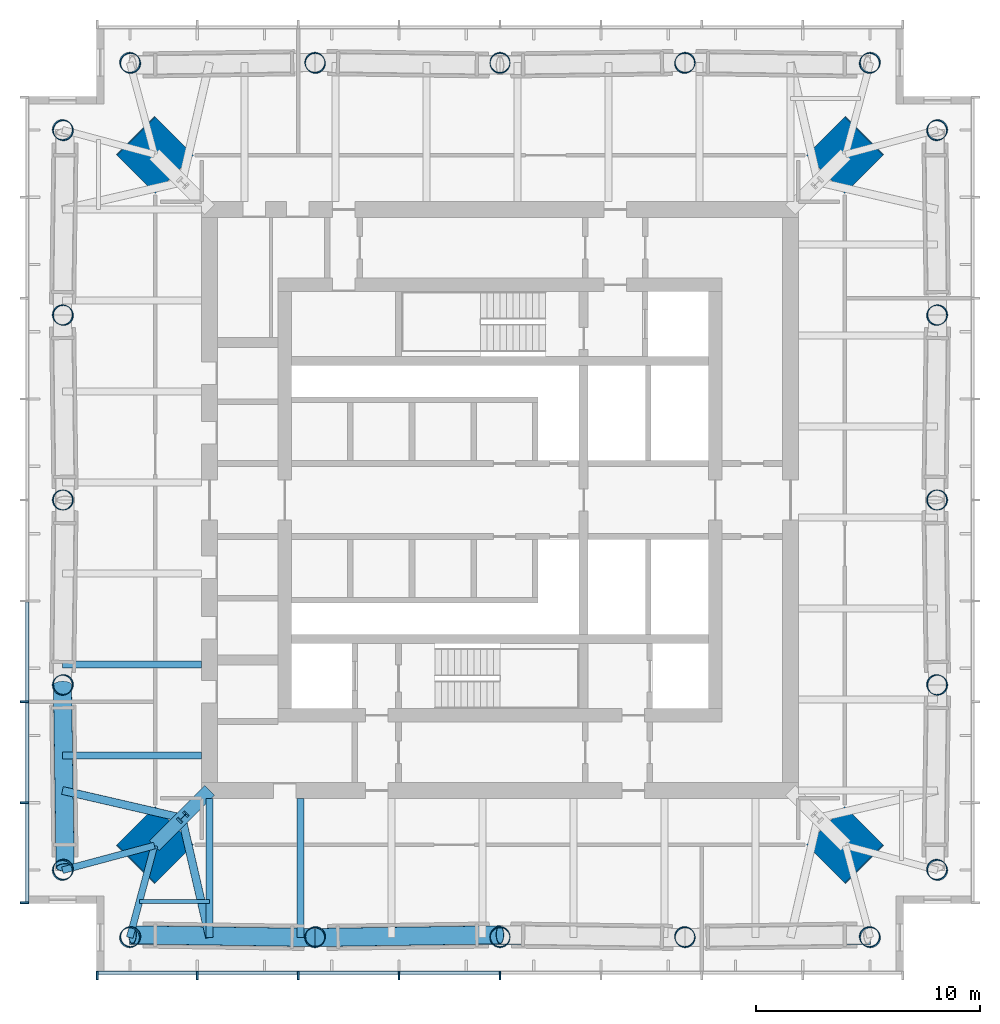
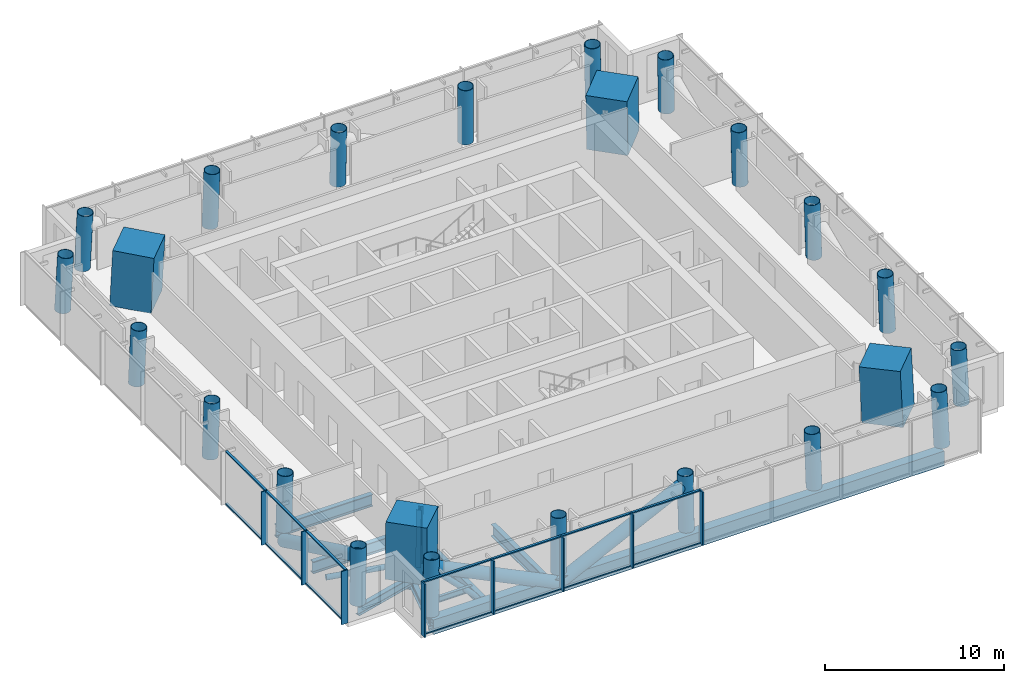
# One storey, part 1 of 9: 30 members, 24 columns, 7 beams, 2 elements without a shape of their own.
"""IFC4 building model written with IfcOpenShell, lengths in metres."""

from ifc_helpers import new_model, si_unit, direction, frame, origin, origin_2d, place, context, subcontext, project, spatial, rectangle, hollow_rectangle, hollow_circle, i_section, extrude, material, material_profile, profile_set, type_object, element, aggregate, save


model = new_model("IFC4")

# Units and contexts
model_context = context("Model", 3, precision=1e-05, world=origin(), true_north=direction((0.0, 1.0)))
body_context = subcontext(model_context, "Body", "Model", "MODEL_VIEW")
ifc_project = project(units=[si_unit("LENGTHUNIT", "METRE"), si_unit("AREAUNIT", "SQUARE_METRE"), si_unit("VOLUMEUNIT", "CUBIC_METRE"), si_unit("PLANEANGLEUNIT", "RADIAN"), si_unit("MASSUNIT", "GRAM", prefix="KILO")], contexts=[model_context])

# Site, building, storey
site_placement = place(None, origin())
site = spatial("IfcSite", under=ifc_project, at=site_placement, CompositionType="ELEMENT")
building_placement = place(site_placement, origin())
building = spatial("IfcBuilding", under=site, at=building_placement, Name="Ostroluk Exchange", CompositionType="ELEMENT")
storey_placement = place(building_placement, frame((0.0, 0.0, 161.60009765625)))
storey = spatial("IfcBuildingStorey", under=building, at=storey_placement, Name="L41", CompositionType="ELEMENT", Elevation=161.60009765625)

# Columns
ifc_material_1 = material(Name="Concrete C50/60", Category="concrete")
ifc_material_profile_1 = material_profile(ifc_material_1, rectangle(XDim=2.39990234375, YDim=2.39990234375, at=origin_2d()), Name="RC 2400x2400")
ifc_profile_set_1 = profile_set([ifc_material_profile_1], Name="Concrete C50/60")
column_type_1 = type_object("IfcColumnType", Name="Mega column RC 2400x2400", PredefinedType="COLUMN", material=ifc_profile_set_1)
for number, where, z_axis, x_axis, name in (
    (1, (60.4072265625, 61.4072265625, 0.0), (-0.031964207655, -0.031964207655, 0.998977766949), (0.707106781187, -0.707106781187, 0.0), "T1 mega column NE"),
    (2, (29.5927734375, 61.4072265625, 0.0), (0.031964207655, -0.031964207655, 0.998977766949), (0.707106781187, 0.707106781187, 0.0), "T1 mega column NW"),
    (3, (29.5927734375, 30.5927734375, 0.0), (0.031964207655, 0.031964207655, 0.998977766949), (-0.707106781187, 0.707106781187, 0.0), "T1 mega column SW"),
    (4, (60.4072265625, 30.5927734375, 0.0), (-0.031964207655, 0.031964207655, 0.998977766949), (-0.707106781187, -0.707106781187, 0.0), "T1 mega column SE"),
):
    element("IfcColumn", number, at=place(storey_placement, frame(where, z_axis=z_axis, x_axis=x_axis)), inside=storey, type_object=column_type_1, Name=name, PredefinedType="COLUMN", context=body_context, shape_type="SweptSolid", body=[
        extrude(rectangle(XDim=2.39990234375, YDim=2.39990234375, at=origin_2d()), origin(), (0.0, 0.0, 1.0), 3.8037109375),
    ])
ifc_material_2 = material(Name="Steel S460", Category="steel")
ifc_material_profile_2 = material_profile(ifc_material_2, hollow_circle(Radius=0.45703125, WallThickness=0.030029296875, at=origin_2d()), Name="CHS 914x30")
ifc_profile_set_2 = profile_set([ifc_material_profile_2], Name="Steel S460")
column_type_2 = type_object("IfcColumnType", Name="Perimeter column CHS 914x30", PredefinedType="COLUMN", material=ifc_profile_set_2)
for number, where, z_axis, x_axis, name in (
    (5, (64.507080078125, 29.492919921875, 0.0), (-0.031900153262, 0.031900153262, 0.998981861919), (-0.707106781187, -0.707106781187, 0.0), "T1 east face column E0"),
    (6, (64.507080078125, 62.507080078125, 0.0), (-0.031900153262, -0.031900153262, 0.998981861919), (0.707106781187, -0.707106781187, 0.0), "T1 east face column E1"),
):
    element("IfcColumn", number, at=place(storey_placement, frame(where, z_axis=z_axis, x_axis=x_axis)), inside=storey, type_object=column_type_2, Name=name, PredefinedType="COLUMN", context=body_context, shape_type="SweptSolid", body=[
        extrude(hollow_circle(Radius=0.45703125, WallThickness=0.030029296875, at=origin_2d()), origin(), (0.0, 0.0, 1.0), 3.8037109375),
    ])
column_1_placement = place(storey_placement, frame((64.507080078125, 37.746337890625, 0.0), z_axis=(-0.031912317206, 0.01598826355, 0.999362786699), x_axis=(-0.447933021895, -0.894067115991, 0.0)))
element("IfcColumn", 7, at=column_1_placement, inside=storey, type_object=column_type_2, Name="T1 east face column I1", PredefinedType="COLUMN", context=body_context, shape_type="SweptSolid", body=[
    extrude(hollow_circle(Radius=0.45703125, WallThickness=0.030029296875, at=origin_2d()), origin(), (0.0, 0.0, 1.0), 3.80224609375),
])
column_2_placement = place(storey_placement, frame((64.507080078125, 46.0, 0.0), z_axis=(-0.031916396774, 0.0, 0.999490542035), x_axis=(0.0, -1.0, 0.0)))
element("IfcColumn", 8, at=column_2_placement, inside=storey, type_object=column_type_2, Name="T1 east face column I2", PredefinedType="COLUMN", context=body_context, shape_type="SweptSolid", body=[
    extrude(hollow_circle(Radius=0.45703125, WallThickness=0.030029296875, at=origin_2d()), origin(), (0.0, 0.0, 1.0), 3.8017578125),
])
column_3_placement = place(storey_placement, frame((64.507080078125, 54.253662109375, 0.0), z_axis=(-0.031912317206, -0.01598826355, 0.999362786699), x_axis=(0.447933021895, -0.894067115991, 0.0)))
element("IfcColumn", 9, at=column_3_placement, inside=storey, type_object=column_type_2, Name="T1 east face column I3", PredefinedType="COLUMN", context=body_context, shape_type="SweptSolid", body=[
    extrude(hollow_circle(Radius=0.45703125, WallThickness=0.030029296875, at=origin_2d()), origin(), (0.0, 0.0, 1.0), 3.80224609375),
])
for number, where, z_axis, x_axis, name in (
    (10, (61.507080078125, 65.507080078125, 0.0), (-0.031900153262, -0.031900153262, 0.998981861919), (0.707106781187, -0.707106781187, 0.0), "T1 north face column E0"),
    (11, (28.492919921875, 65.507080078125, 0.0), (0.031900153262, -0.031900153262, 0.998981861919), (0.707106781187, 0.707106781187, 0.0), "T1 north face column E1"),
):
    element("IfcColumn", number, at=place(storey_placement, frame(where, z_axis=z_axis, x_axis=x_axis)), inside=storey, type_object=column_type_2, Name=name, PredefinedType="COLUMN", context=body_context, shape_type="SweptSolid", body=[
        extrude(hollow_circle(Radius=0.45703125, WallThickness=0.030029296875, at=origin_2d()), origin(), (0.0, 0.0, 1.0), 3.8037109375),
    ])
column_4_placement = place(storey_placement, frame((53.253662109375, 65.507080078125, 0.0), z_axis=(-0.01598826355, -0.031912317206, 0.999362786699), x_axis=(0.894067115991, -0.447933021895, 0.0)))
element("IfcColumn", 12, at=column_4_placement, inside=storey, type_object=column_type_2, Name="T1 north face column I1", PredefinedType="COLUMN", context=body_context, shape_type="SweptSolid", body=[
    extrude(hollow_circle(Radius=0.45703125, WallThickness=0.030029296875, at=origin_2d()), origin(), (0.0, 0.0, 1.0), 3.80224609375),
])
column_5_placement = place(storey_placement, frame((45.0, 65.507080078125, 0.0), z_axis=(0.0, -0.031916396774, 0.999490542035), x_axis=(1.0, 0.0, 0.0)))
element("IfcColumn", 13, at=column_5_placement, inside=storey, type_object=column_type_2, Name="T1 north face column I2", PredefinedType="COLUMN", context=body_context, shape_type="SweptSolid", body=[
    extrude(hollow_circle(Radius=0.45703125, WallThickness=0.030029296875, at=origin_2d()), origin(), (0.0, 0.0, 1.0), 3.8017578125),
])
column_6_placement = place(storey_placement, frame((36.746337890625, 65.507080078125, 0.0), z_axis=(0.01598826355, -0.031912317206, 0.999362786699), x_axis=(0.894067115991, 0.447933021895, 0.0)))
element("IfcColumn", 14, at=column_6_placement, inside=storey, type_object=column_type_2, Name="T1 north face column I3", PredefinedType="COLUMN", context=body_context, shape_type="SweptSolid", body=[
    extrude(hollow_circle(Radius=0.45703125, WallThickness=0.030029296875, at=origin_2d()), origin(), (0.0, 0.0, 1.0), 3.80224609375),
])
for number, where, z_axis, x_axis, name in (
    (15, (25.492919921875, 62.507080078125, 0.0), (0.031900153262, -0.031900153262, 0.998981861919), (0.707106781187, 0.707106781187, 0.0), "T1 west face column E0"),
    (16, (25.492919921875, 29.492919921875, 0.0), (0.031900153262, 0.031900153262, 0.998981861919), (-0.707106781187, 0.707106781187, 0.0), "T1 west face column E1"),
):
    element("IfcColumn", number, at=place(storey_placement, frame(where, z_axis=z_axis, x_axis=x_axis)), inside=storey, type_object=column_type_2, Name=name, PredefinedType="COLUMN", context=body_context, shape_type="SweptSolid", body=[
        extrude(hollow_circle(Radius=0.45703125, WallThickness=0.030029296875, at=origin_2d()), origin(), (0.0, 0.0, 1.0), 3.8037109375),
    ])
column_7_placement = place(storey_placement, frame((25.492919921875, 54.253662109375, 0.0), z_axis=(0.031912317206, -0.01598826355, 0.999362786699), x_axis=(0.447933021895, 0.894067115991, 0.0)))
element("IfcColumn", 17, at=column_7_placement, inside=storey, type_object=column_type_2, Name="T1 west face column I1", PredefinedType="COLUMN", context=body_context, shape_type="SweptSolid", body=[
    extrude(hollow_circle(Radius=0.45703125, WallThickness=0.030029296875, at=origin_2d()), origin(), (0.0, 0.0, 1.0), 3.80224609375),
])
column_8_placement = place(storey_placement, frame((25.492919921875, 46.0, 0.0), z_axis=(0.031916396774, 0.0, 0.999490542035), x_axis=(0.0, 1.0, 0.0)))
element("IfcColumn", 18, at=column_8_placement, inside=storey, type_object=column_type_2, Name="T1 west face column I2", PredefinedType="COLUMN", context=body_context, shape_type="SweptSolid", body=[
    extrude(hollow_circle(Radius=0.45703125, WallThickness=0.030029296875, at=origin_2d()), origin(), (0.0, 0.0, 1.0), 3.8017578125),
])
column_9_placement = place(storey_placement, frame((25.492919921875, 37.746337890625, 0.0), z_axis=(0.031912317206, 0.01598826355, 0.999362786699), x_axis=(-0.447933021895, 0.894067115991, 0.0)))
element("IfcColumn", 19, at=column_9_placement, inside=storey, type_object=column_type_2, Name="T1 west face column I3", PredefinedType="COLUMN", context=body_context, shape_type="SweptSolid", body=[
    extrude(hollow_circle(Radius=0.45703125, WallThickness=0.030029296875, at=origin_2d()), origin(), (0.0, 0.0, 1.0), 3.80224609375),
])
for number, where, z_axis, x_axis, name in (
    (20, (28.492919921875, 26.492919921875, 0.0), (0.031900153262, 0.031900153262, 0.998981861919), (-0.707106781187, 0.707106781187, 0.0), "T1 south face column E0"),
    (21, (61.507080078125, 26.492919921875, 0.0), (-0.031900153262, 0.031900153262, 0.998981861919), (-0.707106781187, -0.707106781187, 0.0), "T1 south face column E1"),
):
    element("IfcColumn", number, at=place(storey_placement, frame(where, z_axis=z_axis, x_axis=x_axis)), inside=storey, type_object=column_type_2, Name=name, PredefinedType="COLUMN", context=body_context, shape_type="SweptSolid", body=[
        extrude(hollow_circle(Radius=0.45703125, WallThickness=0.030029296875, at=origin_2d()), origin(), (0.0, 0.0, 1.0), 3.8037109375),
    ])
column_10_placement = place(storey_placement, frame((36.746337890625, 26.492919921875, 0.0), z_axis=(0.01598826355, 0.031912317206, 0.999362786699), x_axis=(-0.894067115991, 0.447933021895, 0.0)))
element("IfcColumn", 22, at=column_10_placement, inside=storey, type_object=column_type_2, Name="T1 south face column I1", PredefinedType="COLUMN", context=body_context, shape_type="SweptSolid", body=[
    extrude(hollow_circle(Radius=0.45703125, WallThickness=0.030029296875, at=origin_2d()), origin(), (0.0, 0.0, 1.0), 3.80224609375),
])
column_11_placement = place(storey_placement, frame((45.0, 26.492919921875, 0.0), z_axis=(0.0, 0.031916396774, 0.999490542035), x_axis=(-1.0, 0.0, 0.0)))
element("IfcColumn", 23, at=column_11_placement, inside=storey, type_object=column_type_2, Name="T1 south face column I2", PredefinedType="COLUMN", context=body_context, shape_type="SweptSolid", body=[
    extrude(hollow_circle(Radius=0.45703125, WallThickness=0.030029296875, at=origin_2d()), origin(), (0.0, 0.0, 1.0), 3.8017578125),
])
column_12_placement = place(storey_placement, frame((53.253662109375, 26.492919921875, 0.0), z_axis=(-0.01598826355, 0.031912317206, 0.999362786699), x_axis=(-0.894067115991, -0.447933021895, 0.0)))
element("IfcColumn", 24, at=column_12_placement, inside=storey, type_object=column_type_2, Name="T1 south face column I3", PredefinedType="COLUMN", context=body_context, shape_type="SweptSolid", body=[
    extrude(hollow_circle(Radius=0.45703125, WallThickness=0.030029296875, at=origin_2d()), origin(), (0.0, 0.0, 1.0), 3.80224609375),
])

# Members
ifc_material_3 = material(Name="Steel S460", Category="steel")
ifc_material_profile_3 = material_profile(ifc_material_3, hollow_rectangle(XDim=0.60009765625, YDim=1.0, WallThickness=0.06005859375, at=origin_2d()), Name="BOX 600x1000x60")
ifc_profile_set_3 = profile_set([ifc_material_profile_3], Name="Steel S460")
member_type_1 = type_object("IfcMemberType", Name="Belt truss chord BOX 600x1000x60", PredefinedType="CHORD", material=ifc_profile_set_3)
member_1_placement = place(storey_placement, frame((28.492919921875, 26.492919921875, -0.780029296875), z_axis=(1.0, 0.0, 0.0), x_axis=(0.0, 1.0, 0.0)))
element("IfcMember", 25, at=member_1_placement, inside=storey, type_object=member_type_1, Name="Belt truss 2 south chord 2", PredefinedType="CHORD", context=body_context, shape_type="SweptSolid", body=[
    extrude(hollow_rectangle(XDim=0.60009765625, YDim=1.0, WallThickness=0.06005859375, at=origin_2d()), origin(), (0.0, 0.0, 1.0), 33.01416015625),
])
ifc_material_4 = material(Name="Steel S460", Category="steel")
ifc_material_profile_4 = material_profile(ifc_material_4, hollow_circle(Radius=0.406494140625, WallThickness=0.030029296875, at=origin_2d()), Name="CHS 813x30")
ifc_profile_set_4 = profile_set([ifc_material_profile_4], Name="Steel S460")
member_type_2 = type_object("IfcMemberType", Name="Belt truss diagonal CHS 813x30", PredefinedType="BRACE", material=ifc_profile_set_4)
for number, where, z_axis, x_axis, name in (
    (26, (25.492919921875, 37.746337890625, -0.780029296875), (0.013465462075, -0.902456893863, 0.430569664573), (0.999888702071, 0.014919231587, 0.0), "Belt truss 2 west diagonal 2.4"),
    (27, (36.746337890625, 26.492919921875, -0.780029296875), (-0.902456893863, 0.013465462075, 0.430569664573), (-0.014919231587, -0.999888702071, 0.0), "Belt truss 2 south diagonal 2.1"),
):
    element("IfcMember", number, at=place(storey_placement, frame(where, z_axis=z_axis, x_axis=x_axis)), inside=storey, type_object=member_type_2, Name=name, PredefinedType="BRACE", context=body_context, shape_type="SweptSolid", body=[
        extrude(hollow_circle(Radius=0.406494140625, WallThickness=0.030029296875, at=origin_2d()), origin(), (0.0, 0.0, 1.0), 9.010986328125),
    ])
member_2_placement = place(storey_placement, frame((36.746337890625, 26.492919921875, -0.780029296875), z_axis=(0.904915687565, 0.013303253667, 0.425382912023), x_axis=(-0.014699509046, 0.99989195638, 0.0)))
element("IfcMember", 28, at=member_2_placement, inside=storey, type_object=member_type_2, Name="Belt truss 2 south diagonal 2.2", PredefinedType="BRACE", context=body_context, shape_type="SweptSolid", body=[
    extrude(hollow_circle(Radius=0.406494140625, WallThickness=0.030029296875, at=origin_2d()), origin(), (0.0, 0.0, 1.0), 9.120849609375),
])

# Beams
ifc_material_5 = material(Name="Steel S355", Category="steel")
ifc_material_profile_5 = material_profile(ifc_material_5, i_section(OverallWidth=0.300048828125, OverallDepth=0.60009765625, WebThickness=0.015380859375, FlangeThickness=0.030029296875, FilletRadius=0.027099609375, at=origin_2d()), Name="HEB 600")
ifc_profile_set_5 = profile_set([ifc_material_profile_5], Name="Steel S355")
beam_type_1 = type_object("IfcBeamType", Name="Corner edge beam HEB 600", PredefinedType="SPANDREL", material=ifc_profile_set_5)
for number, where, z_axis, x_axis, name in (
    (29, (29.5927734375, 30.5927734375, -0.580078125), (-0.965849156574, -0.259105011038, 0.0), (0.259105011038, -0.965849156574, 0.0), "T1 west corner edge beam a"),
    (30, (29.5927734375, 30.5927734375, -0.580078125), (-0.259105011038, -0.965849156574, 0.0), (0.965849156574, -0.259105011038, 0.0), "T1 west corner edge beam b"),
):
    element("IfcBeam", number, at=place(storey_placement, frame(where, z_axis=z_axis, x_axis=x_axis)), inside=storey, type_object=beam_type_1, Name=name, PredefinedType="SPANDREL", context=body_context, shape_type="SweptSolid", body=[
        extrude(i_section(OverallWidth=0.300048828125, OverallDepth=0.60009765625, WebThickness=0.015380859375, FlangeThickness=0.030029296875, FilletRadius=0.027099609375, at=origin_2d()), origin(), (0.0, 0.0, 1.0), 4.244873046875),
    ])
ifc_material_6 = material(Name="Steel S355", Category="steel")
ifc_material_profile_6 = material_profile(ifc_material_6, i_section(OverallWidth=0.302978515625, OverallDepth=0.81396484375, WebThickness=0.02099609375, FlangeThickness=0.0400390625, FilletRadius=0.030029296875, at=origin_2d()), Name="HEM 800")
ifc_profile_set_6 = profile_set([ifc_material_profile_6], Name="Steel S355")
beam_type_2 = type_object("IfcBeamType", Name="Floor beam HEM 800", PredefinedType="BEAM", material=ifc_profile_set_6)
for number, where, z_axis, x_axis, name in (
    (31, (31.699951171875, 38.664306640625, -0.68701171875), (-1.0, 0.0, 0.0), (0.0, -1.0, 0.0), "T1 west floor beam 5"),
    (32, (31.699951171875, 34.607177734375, -0.68701171875), (-1.0, 0.0, 0.0), (0.0, -1.0, 0.0), "T1 west floor beam 6"),
    (33, (36.107177734375, 32.699951171875, -0.68701171875), (0.0, -1.0, 0.0), (1.0, 0.0, 0.0), "T1 south floor beam 1"),
):
    element("IfcBeam", number, at=place(storey_placement, frame(where, z_axis=z_axis, x_axis=x_axis)), inside=storey, type_object=beam_type_2, Name=name, PredefinedType="BEAM", context=body_context, shape_type="SweptSolid", body=[
        extrude(i_section(OverallWidth=0.302978515625, OverallDepth=0.81396484375, WebThickness=0.02099609375, FlangeThickness=0.0400390625, FilletRadius=0.030029296875, at=origin_2d()), origin(), (0.0, 0.0, 1.0), 6.20703125),
    ])
ifc_material_7 = material(Name="Steel S355", Category="steel")
ifc_material_profile_7 = material_profile(ifc_material_7, i_section(OverallWidth=0.179931640625, OverallDepth=0.39990234375, WebThickness=0.008544921875, FlangeThickness=0.013427734375, FilletRadius=0.02099609375, at=origin_2d()), Name="IPE 400")
ifc_profile_set_7 = profile_set([ifc_material_profile_7], Name="Steel S355")
beam_type_3 = type_object("IfcBeamType", Name="Floor beam IPE 400", PredefinedType="BEAM", material=ifc_profile_set_7)
beam_1_placement = place(storey_placement, frame((32.050048828125, 28.0927734375, -0.47998046875), z_axis=(-1.0, 0.0, 0.0), x_axis=(0.0, -1.0, 0.0)))
element("IfcBeam", 34, at=beam_1_placement, inside=storey, type_object=beam_type_3, Name="T1 west floor beam 7", PredefinedType="BEAM", context=body_context, shape_type="SweptSolid", body=[
    extrude(i_section(OverallWidth=0.179931640625, OverallDepth=0.39990234375, WebThickness=0.008544921875, FlangeThickness=0.013427734375, FilletRadius=0.02099609375, at=origin_2d()), origin(), (0.0, 0.0, 1.0), 3.1279296875),
])
ifc_material_8 = material(Name="Steel S355", Category="steel")
ifc_material_profile_8 = material_profile(ifc_material_8, i_section(OverallWidth=0.300048828125, OverallDepth=0.699951171875, WebThickness=0.01708984375, FlangeThickness=0.031982421875, FilletRadius=0.027099609375, at=origin_2d()), Name="HEB 700")
ifc_profile_set_8 = profile_set([ifc_material_profile_8], Name="Steel S355")
beam_type_4 = type_object("IfcBeamType", Name="Girder HEB 700", PredefinedType="BEAM", material=ifc_profile_set_8)
beam_2_placement = place(storey_placement, frame((32.050048828125, 32.699951171875, -0.630126953125), z_axis=(0.0, -1.0, 0.0), x_axis=(1.0, 0.0, 0.0)))
element("IfcBeam", 35, at=beam_2_placement, inside=storey, type_object=beam_type_4, Name="T1 west girder", PredefinedType="BEAM", context=body_context, shape_type="SweptSolid", body=[
    extrude(i_section(OverallWidth=0.300048828125, OverallDepth=0.699951171875, WebThickness=0.01708984375, FlangeThickness=0.031982421875, FilletRadius=0.027099609375, at=origin_2d()), origin(), (0.0, 0.0, 1.0), 6.20703125),
])

# Members
ifc_material_9 = material(Name="Steel S460", Category="steel")
ifc_material_profile_9 = material_profile(ifc_material_9, hollow_rectangle(XDim=0.60009765625, YDim=1.0, WallThickness=0.06005859375, at=origin_2d()), Name="BOX 600x1000x60")
ifc_profile_set_9 = profile_set([ifc_material_profile_9], Name="Steel S460")
member_type_3 = type_object("IfcMemberType", Name="Outrigger chord BOX 600x1000x60", PredefinedType="CHORD", material=ifc_profile_set_9)
member_3_placement = place(storey_placement, frame((32.050048828125, 33.050048828125, -0.780029296875), z_axis=(-0.707106781187, -0.707106781187, 0.0), x_axis=(0.707106781187, -0.707106781187, 0.0)))
element("IfcMember", 36, at=member_3_placement, inside=storey, type_object=member_type_3, Name="Outrigger 2 SW chord 2", PredefinedType="CHORD", context=body_context, shape_type="SweptSolid", body=[
    extrude(hollow_rectangle(XDim=0.60009765625, YDim=1.0, WallThickness=0.06005859375, at=origin_2d()), origin(), (0.0, 0.0, 1.0), 3.47509765625),
])
ifc_material_10 = material(Name="Steel S460", Category="steel")
ifc_material_profile_10 = material_profile(ifc_material_10, i_section(OverallWidth=0.306884765625, OverallDepth=0.431884765625, WebThickness=0.02099609375, FlangeThickness=0.0400390625, FilletRadius=0.027099609375, at=origin_2d()), Name="HEM 400")
ifc_profile_set_10 = profile_set([ifc_material_profile_10], Name="Steel S460")
member_type_4 = type_object("IfcMemberType", Name="Outrigger post HEM 400", PredefinedType="POST", material=ifc_profile_set_10)
member_4_placement = place(storey_placement, frame((30.821533203125, 31.821533203125, -0.780029296875), z_axis=(0.015601537093, 0.015601537093, 0.999756562409), x_axis=(-0.707106781187, 0.707106781187, 0.0)))
element("IfcMember", 37, at=member_4_placement, inside=storey, type_object=member_type_4, Name="Outrigger 2 SW post 2", PredefinedType="POST", context=body_context, shape_type="SweptSolid", body=[
    extrude(i_section(OverallWidth=0.306884765625, OverallDepth=0.431884765625, WebThickness=0.02099609375, FlangeThickness=0.0400390625, FilletRadius=0.027099609375, at=origin_2d()), origin(), (0.0, 0.0, 1.0), 3.880859375),
])
ifc_material_11 = material(Name="Steel S460", Category="steel")
ifc_material_profile_11 = material_profile(ifc_material_11, hollow_circle(Radius=0.177734375, WallThickness=0.012451171875, at=origin_2d()), Name="CHS 355.6x12.5")
ifc_profile_set_11 = profile_set([ifc_material_profile_11], Name="Steel S460")
member_type_5 = type_object("IfcMemberType", Name="Plan bracing CHS 355.6x12.5", PredefinedType="BRACE", material=ifc_profile_set_11)
for number, where, z_axis, x_axis, name in (
    (38, (30.821533203125, 31.821533203125, -0.4580078125), (-0.974437827009, 0.224657341955, 0.0), (-0.224657341955, -0.974437827009, 0.0), "Plan bracing L41 SW a"),
    (39, (30.821533203125, 31.821533203125, -0.4580078125), (0.224657341955, -0.974437827009, 0.0), (0.974437827009, 0.224657341955, 0.0), "Plan bracing L41 SW b"),
):
    element("IfcMember", number, at=place(storey_placement, frame(where, z_axis=z_axis, x_axis=x_axis)), inside=storey, type_object=member_type_5, Name=name, PredefinedType="BRACE", context=body_context, shape_type="SweptSolid", body=[
        extrude(hollow_circle(Radius=0.177734375, WallThickness=0.012451171875, at=origin_2d()), origin(), (0.0, 0.0, 1.0), 5.468505859375),
    ])

# Curtain wall, members
ifc_material_12 = material(Name="Laminated clear glass", Category="glass")
curtain_wall_type = type_object("IfcCurtainWallType", Name="Office tower plant and sky lobby facade", PredefinedType="USERDEFINED", material=ifc_material_12)
curtain_wall_1_placement = place(storey_placement, origin())
curtain_wall_1 = element("IfcCurtainWall", 40, at=curtain_wall_1_placement, inside=storey, type_object=curtain_wall_type, Name="Office tower south facade L41", ObjectType="LOUVRED CURTAIN WALL", PredefinedType="USERDEFINED")
ifc_material_13 = material(Name="Aluminium mullion", Category="aluminium")
ifc_material_profile_12 = material_profile(ifc_material_13, rectangle(XDim=0.14990234375, YDim=0.080078125, at=origin_2d()), Name="Sill transom 80 x 150")
ifc_profile_set_12 = profile_set([ifc_material_profile_12], Name="Aluminium mullion")
member_type_6 = type_object("IfcMemberType", Name="Sill transom 80 x 150", PredefinedType="USERDEFINED", material=ifc_profile_set_12)
member_5_placement = place(storey_placement, frame((27.080078125, 24.925048828125, 0.039794921875), z_axis=(1.0, 0.0, 0.0), x_axis=(0.0, 1.0, 0.0)))
member_5 = element("IfcMember", 41, at=member_5_placement, type_object=member_type_6, Name="CW-P1 transom 1.1", ObjectType="TRANSOM", PredefinedType="USERDEFINED", context=body_context, shape_type="SweptSolid", body=[
    extrude(rectangle(XDim=0.14990234375, YDim=0.080078125, at=origin_2d()), origin(), (0.0, 0.0, 1.0), 4.3798828125),
])
member_6_placement = place(storey_placement, frame((27.080078125, 24.925048828125, 3.60986328125), z_axis=(1.0, 0.0, 0.0), x_axis=(0.0, 1.0, 0.0)))
member_6 = element("IfcMember", 42, at=member_6_placement, type_object=member_type_6, Name="CW-P1 transom 1.2", ObjectType="TRANSOM", PredefinedType="USERDEFINED", context=body_context, shape_type="SweptSolid", body=[
    extrude(rectangle(XDim=0.14990234375, YDim=0.080078125, at=origin_2d()), origin(), (0.0, 0.0, 1.0), 4.3798828125),
])
member_7_placement = place(storey_placement, frame((31.5400390625, 24.925048828125, 0.039794921875), z_axis=(1.0, 0.0, 0.0), x_axis=(0.0, 1.0, 0.0)))
member_7 = element("IfcMember", 43, at=member_7_placement, type_object=member_type_6, Name="CW-P1 transom 2.1", ObjectType="TRANSOM", PredefinedType="USERDEFINED", context=body_context, shape_type="SweptSolid", body=[
    extrude(rectangle(XDim=0.14990234375, YDim=0.080078125, at=origin_2d()), origin(), (0.0, 0.0, 1.0), 4.419921875),
])
member_8_placement = place(storey_placement, frame((31.5400390625, 24.925048828125, 3.60986328125), z_axis=(1.0, 0.0, 0.0), x_axis=(0.0, 1.0, 0.0)))
member_8 = element("IfcMember", 44, at=member_8_placement, type_object=member_type_6, Name="CW-P1 transom 2.2", ObjectType="TRANSOM", PredefinedType="USERDEFINED", context=body_context, shape_type="SweptSolid", body=[
    extrude(rectangle(XDim=0.14990234375, YDim=0.080078125, at=origin_2d()), origin(), (0.0, 0.0, 1.0), 4.419921875),
])
member_9_placement = place(storey_placement, frame((36.0400390625, 24.925048828125, 0.039794921875), z_axis=(1.0, 0.0, 0.0), x_axis=(0.0, 1.0, 0.0)))
member_9 = element("IfcMember", 45, at=member_9_placement, type_object=member_type_6, Name="CW-P1 transom 3.1", ObjectType="TRANSOM", PredefinedType="USERDEFINED", context=body_context, shape_type="SweptSolid", body=[
    extrude(rectangle(XDim=0.14990234375, YDim=0.080078125, at=origin_2d()), origin(), (0.0, 0.0, 1.0), 4.419921875),
])
member_10_placement = place(storey_placement, frame((36.0400390625, 24.925048828125, 3.60986328125), z_axis=(1.0, 0.0, 0.0), x_axis=(0.0, 1.0, 0.0)))
member_10 = element("IfcMember", 46, at=member_10_placement, type_object=member_type_6, Name="CW-P1 transom 3.2", ObjectType="TRANSOM", PredefinedType="USERDEFINED", context=body_context, shape_type="SweptSolid", body=[
    extrude(rectangle(XDim=0.14990234375, YDim=0.080078125, at=origin_2d()), origin(), (0.0, 0.0, 1.0), 4.419921875),
])
member_11_placement = place(storey_placement, frame((40.5400390625, 24.925048828125, 0.039794921875), z_axis=(1.0, 0.0, 0.0), x_axis=(0.0, 1.0, 0.0)))
member_11 = element("IfcMember", 47, at=member_11_placement, type_object=member_type_6, Name="CW-P1 transom 4.1", ObjectType="TRANSOM", PredefinedType="USERDEFINED", context=body_context, shape_type="SweptSolid", body=[
    extrude(rectangle(XDim=0.14990234375, YDim=0.080078125, at=origin_2d()), origin(), (0.0, 0.0, 1.0), 4.419921875),
])
member_12_placement = place(storey_placement, frame((40.5400390625, 24.925048828125, 3.60986328125), z_axis=(1.0, 0.0, 0.0), x_axis=(0.0, 1.0, 0.0)))
member_12 = element("IfcMember", 48, at=member_12_placement, type_object=member_type_6, Name="CW-P1 transom 4.2", ObjectType="TRANSOM", PredefinedType="USERDEFINED", context=body_context, shape_type="SweptSolid", body=[
    extrude(rectangle(XDim=0.14990234375, YDim=0.080078125, at=origin_2d()), origin(), (0.0, 0.0, 1.0), 4.419921875),
])

curtain_wall_2_placement = place(storey_placement, origin())
curtain_wall_2 = element("IfcCurtainWall", 49, at=curtain_wall_2_placement, inside=storey, type_object=curtain_wall_type, Name="Office tower west facade L41", ObjectType="LOUVRED CURTAIN WALL", PredefinedType="USERDEFINED")
member_13_placement = place(storey_placement, frame((23.925048828125, 41.4599609375, 0.039794921875), z_axis=(0.0, -1.0, 0.0), x_axis=(1.0, 0.0, 0.0)))
member_13 = element("IfcMember", 50, at=member_13_placement, type_object=member_type_6, Name="CW-P1 transom 6.1", ObjectType="TRANSOM", PredefinedType="USERDEFINED", context=body_context, shape_type="SweptSolid", body=[
    extrude(rectangle(XDim=0.14990234375, YDim=0.080078125, at=origin_2d()), origin(), (0.0, 0.0, 1.0), 4.419921875),
])
member_14_placement = place(storey_placement, frame((23.925048828125, 41.4599609375, 3.60986328125), z_axis=(0.0, -1.0, 0.0), x_axis=(1.0, 0.0, 0.0)))
member_14 = element("IfcMember", 51, at=member_14_placement, type_object=member_type_6, Name="CW-P1 transom 6.2", ObjectType="TRANSOM", PredefinedType="USERDEFINED", context=body_context, shape_type="SweptSolid", body=[
    extrude(rectangle(XDim=0.14990234375, YDim=0.080078125, at=origin_2d()), origin(), (0.0, 0.0, 1.0), 4.419921875),
])
member_15_placement = place(storey_placement, frame((23.925048828125, 36.9599609375, 0.039794921875), z_axis=(0.0, -1.0, 0.0), x_axis=(1.0, 0.0, 0.0)))
member_15 = element("IfcMember", 52, at=member_15_placement, type_object=member_type_6, Name="CW-P1 transom 7.1", ObjectType="TRANSOM", PredefinedType="USERDEFINED", context=body_context, shape_type="SweptSolid", body=[
    extrude(rectangle(XDim=0.14990234375, YDim=0.080078125, at=origin_2d()), origin(), (0.0, 0.0, 1.0), 4.419921875),
])
member_16_placement = place(storey_placement, frame((23.925048828125, 36.9599609375, 3.60986328125), z_axis=(0.0, -1.0, 0.0), x_axis=(1.0, 0.0, 0.0)))
member_16 = element("IfcMember", 53, at=member_16_placement, type_object=member_type_6, Name="CW-P1 transom 7.2", ObjectType="TRANSOM", PredefinedType="USERDEFINED", context=body_context, shape_type="SweptSolid", body=[
    extrude(rectangle(XDim=0.14990234375, YDim=0.080078125, at=origin_2d()), origin(), (0.0, 0.0, 1.0), 4.419921875),
])
member_17_placement = place(storey_placement, frame((23.925048828125, 32.4599609375, 0.039794921875), z_axis=(0.0, -1.0, 0.0), x_axis=(1.0, 0.0, 0.0)))
member_17 = element("IfcMember", 54, at=member_17_placement, type_object=member_type_6, Name="CW-P1 transom 8.1", ObjectType="TRANSOM", PredefinedType="USERDEFINED", context=body_context, shape_type="SweptSolid", body=[
    extrude(rectangle(XDim=0.14990234375, YDim=0.080078125, at=origin_2d()), origin(), (0.0, 0.0, 1.0), 4.3798828125),
])
member_18_placement = place(storey_placement, frame((23.925048828125, 32.4599609375, 3.60986328125), z_axis=(0.0, -1.0, 0.0), x_axis=(1.0, 0.0, 0.0)))
member_18 = element("IfcMember", 55, at=member_18_placement, type_object=member_type_6, Name="CW-P1 transom 8.2", ObjectType="TRANSOM", PredefinedType="USERDEFINED", context=body_context, shape_type="SweptSolid", body=[
    extrude(rectangle(XDim=0.14990234375, YDim=0.080078125, at=origin_2d()), origin(), (0.0, 0.0, 1.0), 4.3798828125),
])

# Member
ifc_material_14 = material(Name="Aluminium mullion with limestone facing", Category="masonry")
ifc_material_profile_13 = material_profile(ifc_material_14, rectangle(XDim=0.39990234375, YDim=0.080078125, at=origin_2d()), Name="Tracery mullion 80 x 400")
ifc_profile_set_13 = profile_set([ifc_material_profile_13], Name="Aluminium mullion with limestone facing")
member_type_7 = type_object("IfcMemberType", Name="Tracery mullion 80 x 400", PredefinedType="MULLION", material=ifc_profile_set_13)
member_19_placement = place(storey_placement, frame((27.0400390625, 24.800048828125, 0.0), z_axis=(0.0, 0.0, 1.0), x_axis=(0.0, 1.0, 0.0)))
member_19 = element("IfcMember", 56, at=member_19_placement, type_object=member_type_7, Name="CW-P1 mullion 1", PredefinedType="MULLION", context=body_context, shape_type="SweptSolid", body=[
    extrude(rectangle(XDim=0.39990234375, YDim=0.080078125, at=origin_2d()), origin(), (0.0, 0.0, 1.0), 3.64990234375),
])

member_20_placement = place(storey_placement, frame((31.5, 24.800048828125, 0.0), z_axis=(0.0, 0.0, 1.0), x_axis=(0.0, 1.0, 0.0)))
member_20 = element("IfcMember", 57, at=member_20_placement, type_object=member_type_7, Name="CW-P1 mullion 2", PredefinedType="MULLION", context=body_context, shape_type="SweptSolid", body=[
    extrude(rectangle(XDim=0.39990234375, YDim=0.080078125, at=origin_2d()), origin(), (0.0, 0.0, 1.0), 3.64990234375),
])

member_21_placement = place(storey_placement, frame((36.0, 24.800048828125, 0.0), z_axis=(0.0, 0.0, 1.0), x_axis=(0.0, 1.0, 0.0)))
member_21 = element("IfcMember", 58, at=member_21_placement, type_object=member_type_7, Name="CW-P1 mullion 3", PredefinedType="MULLION", context=body_context, shape_type="SweptSolid", body=[
    extrude(rectangle(XDim=0.39990234375, YDim=0.080078125, at=origin_2d()), origin(), (0.0, 0.0, 1.0), 3.64990234375),
])

member_22_placement = place(storey_placement, frame((40.5, 24.800048828125, 0.0), z_axis=(0.0, 0.0, 1.0), x_axis=(0.0, 1.0, 0.0)))
member_22 = element("IfcMember", 59, at=member_22_placement, type_object=member_type_7, Name="CW-P1 mullion 4", PredefinedType="MULLION", context=body_context, shape_type="SweptSolid", body=[
    extrude(rectangle(XDim=0.39990234375, YDim=0.080078125, at=origin_2d()), origin(), (0.0, 0.0, 1.0), 3.64990234375),
])

member_23_placement = place(storey_placement, frame((45.0, 24.800048828125, 0.0), z_axis=(0.0, 0.0, 1.0), x_axis=(0.0, 1.0, 0.0)))
member_23 = element("IfcMember", 60, at=member_23_placement, type_object=member_type_7, Name="CW-P1 mullion 5", PredefinedType="MULLION", context=body_context, shape_type="SweptSolid", body=[
    extrude(rectangle(XDim=0.39990234375, YDim=0.080078125, at=origin_2d()), origin(), (0.0, 0.0, 1.0), 3.64990234375),
])

aggregate(curtain_wall_1, [member_19, member_20, member_21, member_22, member_23, member_5, member_6, member_7, member_8, member_9, member_10, member_11, member_12])

member_24_placement = place(storey_placement, frame((23.800048828125, 37.0, 0.0), z_axis=(0.0, 0.0, 1.0), x_axis=(1.0, 0.0, 0.0)))
member_24 = element("IfcMember", 61, at=member_24_placement, type_object=member_type_7, Name="CW-P1 mullion 7", PredefinedType="MULLION", context=body_context, shape_type="SweptSolid", body=[
    extrude(rectangle(XDim=0.39990234375, YDim=0.080078125, at=origin_2d()), origin(), (0.0, 0.0, 1.0), 3.64990234375),
])

member_25_placement = place(storey_placement, frame((23.800048828125, 32.5, 0.0), z_axis=(0.0, 0.0, 1.0), x_axis=(1.0, 0.0, 0.0)))
member_25 = element("IfcMember", 62, at=member_25_placement, type_object=member_type_7, Name="CW-P1 mullion 8", PredefinedType="MULLION", context=body_context, shape_type="SweptSolid", body=[
    extrude(rectangle(XDim=0.39990234375, YDim=0.080078125, at=origin_2d()), origin(), (0.0, 0.0, 1.0), 3.64990234375),
])

member_26_placement = place(storey_placement, frame((23.800048828125, 28.0400390625, 0.0), z_axis=(0.0, 0.0, 1.0), x_axis=(1.0, 0.0, 0.0)))
member_26 = element("IfcMember", 63, at=member_26_placement, type_object=member_type_7, Name="CW-P1 mullion 9", PredefinedType="MULLION", context=body_context, shape_type="SweptSolid", body=[
    extrude(rectangle(XDim=0.39990234375, YDim=0.080078125, at=origin_2d()), origin(), (0.0, 0.0, 1.0), 3.64990234375),
])

aggregate(curtain_wall_2, [member_24, member_25, member_26, member_13, member_14, member_15, member_16, member_17, member_18])

save(model, "model.ifc")
